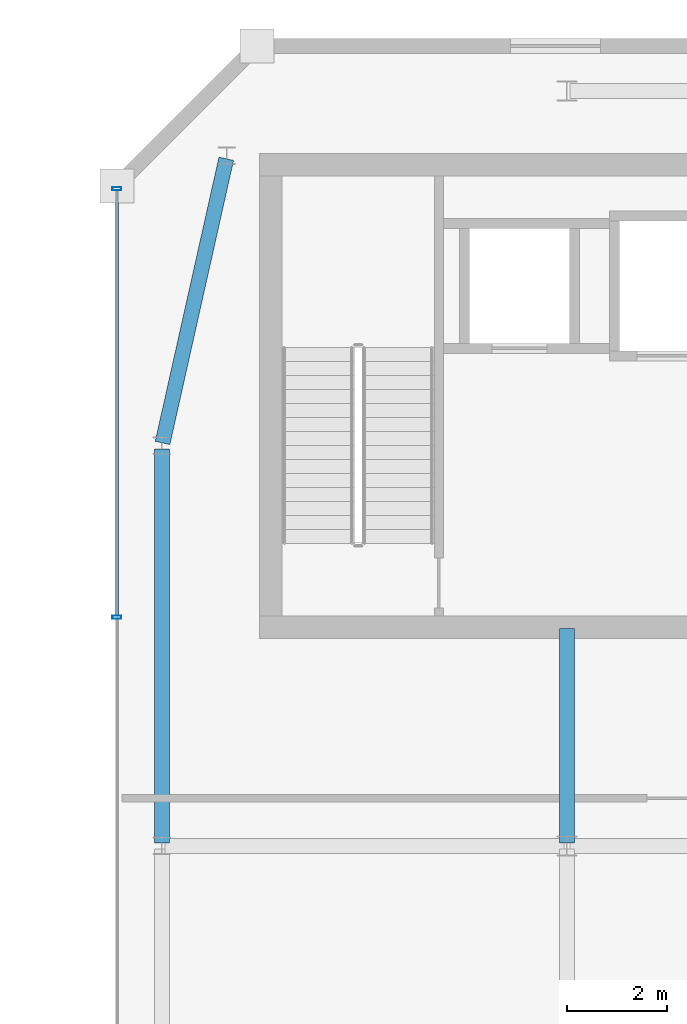
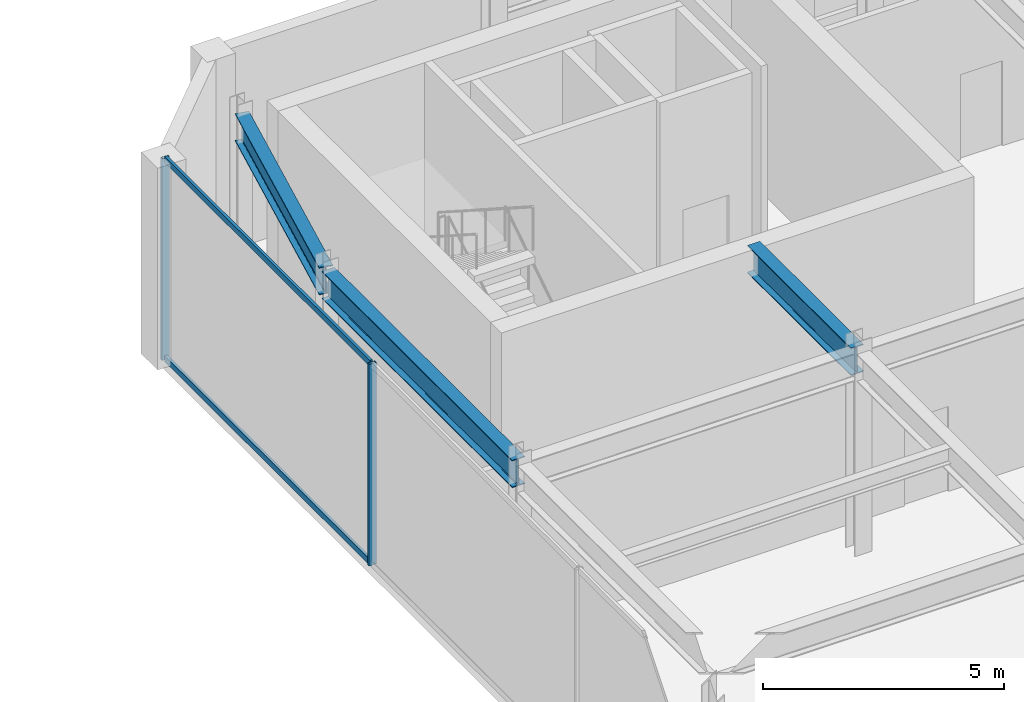
# One storey, part 36 of 52: 4 members, 3 beams, 1 element without a shape of its own.
"""IFC4 building model written with IfcOpenShell, lengths in metres."""

from ifc_helpers import new_model, si_unit, direction, frame, origin, origin_2d, place, context, subcontext, project, spatial, hollow_rectangle, i_section, extrude, material, material_profile, profile_set, type_object, element, aggregate, save


model = new_model("IFC4")

# Units and contexts
model_context = context("Model", 3, precision=1e-05, world=origin(), true_north=direction((0.0, 1.0)))
body_context = subcontext(model_context, "Body", "Model", "MODEL_VIEW")
ifc_project = project(units=[si_unit("LENGTHUNIT", "METRE"), si_unit("AREAUNIT", "SQUARE_METRE"), si_unit("VOLUMEUNIT", "CUBIC_METRE"), si_unit("PLANEANGLEUNIT", "RADIAN"), si_unit("MASSUNIT", "GRAM", prefix="KILO")], contexts=[model_context])

# Site, building, storey
site_placement = place(None, origin())
site = spatial("IfcSite", under=ifc_project, at=site_placement, CompositionType="ELEMENT")
building_placement = place(site_placement, origin())
building = spatial("IfcBuilding", under=site, at=building_placement, Name="Saevonmaru Cultural Tower", CompositionType="ELEMENT")
storey_placement = place(building_placement, frame((0.0, 0.0, 11.39990234375)))
storey = spatial("IfcBuildingStorey", under=building, at=storey_placement, Name="L02", CompositionType="ELEMENT", Elevation=11.39990234375)

# Beams
ifc_material_1 = material(Name="Steel SM355", Category="steel")
ifc_material_profile_1 = material_profile(ifc_material_1, i_section(OverallWidth=0.300048828125, OverallDepth=0.699951171875, WebThickness=0.012939453125, FlangeThickness=0.02392578125, FilletRadius=0.02587890625, at=origin_2d()), Name="H-700x300x13x24")
ifc_profile_set_1 = profile_set([ifc_material_profile_1], Name="Steel SM355")
beam_type = type_object("IfcBeamType", Name="BM-G-H700", PredefinedType="BEAM", material=ifc_profile_set_1)
beam_1_placement = place(storey_placement, frame((73.10009765625, 32.06005859375, 4.75), z_axis=(0.0, 1.0, 0.0), x_axis=(-1.0, 0.0, 0.0)))
element("IfcBeam", 1, at=beam_1_placement, inside=storey, type_object=beam_type, Name="L02 Library Girder NS-1-4", PredefinedType="BEAM", context=body_context, shape_type="SweptSolid", body=[
    extrude(i_section(OverallWidth=0.300048828125, OverallDepth=0.699951171875, WebThickness=0.012939453125, FlangeThickness=0.02392578125, FilletRadius=0.02587890625, at=origin_2d()), origin(), (0.0, 0.0, 1.0), 7.8798828125),
])
beam_2_placement = place(storey_placement, frame((73.113037109375, 40.05859375, 4.75), z_axis=(0.218741049138, 0.975782943806, 0.0), x_axis=(-0.975782943806, 0.218741049138, 0.0)))
element("IfcBeam", 2, at=beam_2_placement, inside=storey, type_object=beam_type, Name="L02 Library Girder NS-1-5", PredefinedType="BEAM", context=body_context, shape_type="SweptSolid", body=[
    extrude(i_section(OverallWidth=0.300048828125, OverallDepth=0.699951171875, WebThickness=0.012939453125, FlangeThickness=0.02392578125, FilletRadius=0.02587890625, at=origin_2d()), origin(), (0.0, 0.0, 1.0), 5.823974609375),
])
beam_3_placement = place(storey_placement, frame((81.199951171875, 32.06005859375, 4.75), z_axis=(0.0, 1.0, 0.0), x_axis=(-1.0, 0.0, 0.0)))
element("IfcBeam", 3, at=beam_3_placement, inside=storey, type_object=beam_type, Name="L02 Library Core-Bearing Girder NS-2-4", PredefinedType="BEAM", context=body_context, shape_type="SweptSolid", body=[
    extrude(i_section(OverallWidth=0.300048828125, OverallDepth=0.699951171875, WebThickness=0.012939453125, FlangeThickness=0.02392578125, FilletRadius=0.02587890625, at=origin_2d()), origin(), (0.0, 0.0, 1.0), 4.2900390625),
])

# Curtain wall, members
ifc_material_2 = material(Name="Satin Bronze Anodised Aluminium", Category="aluminium")
curtain_wall_type = type_object("IfcCurtainWallType", Name="CW-LIB-GLZ", PredefinedType="NOTDEFINED", material=ifc_material_2)
curtain_wall_placement = place(storey_placement, origin())
curtain_wall = element("IfcCurtainWall", 4, at=curtain_wall_placement, inside=storey, type_object=curtain_wall_type, Name="L02 Central Library Reading Hall Curtain Wall 8", PredefinedType="NOTDEFINED")
ifc_material_profile_2 = material_profile(ifc_material_2, hollow_rectangle(XDim=0.06494140625, YDim=0.179931640625, WallThickness=0.00390625, at=origin_2d()), Name="ALU-MULL-180x65x4")
ifc_profile_set_2 = profile_set([ifc_material_profile_2], Name="Satin Bronze Anodised Aluminium")
member_type_1 = type_object("IfcMemberType", Name="ML-CW-180x65", PredefinedType="MULLION", material=ifc_profile_set_2)
member_1_placement = place(storey_placement, frame((72.199951171875, 45.139892578125, 0.0), z_axis=(0.0, 0.0, 1.0), x_axis=(0.0, -1.0, 0.0)))
member_1 = element("IfcMember", 5, at=member_1_placement, type_object=member_type_1, Name="CW-LIB-8-L02 mullion 1", PredefinedType="MULLION", context=body_context, shape_type="SweptSolid", body=[
    extrude(hollow_rectangle(XDim=0.06494140625, YDim=0.179931640625, WallThickness=0.00390625, at=origin_2d()), origin(), (0.0, 0.0, 1.0), 5.10009765625),
])
member_2_placement = place(storey_placement, frame((72.199951171875, 36.570068359375, 0.0), z_axis=(0.0, 0.0, 1.0), x_axis=(0.0, -1.0, 0.0)))
member_2 = element("IfcMember", 6, at=member_2_placement, type_object=member_type_1, Name="CW-LIB-8-L02 mullion 2", PredefinedType="MULLION", context=body_context, shape_type="SweptSolid", body=[
    extrude(hollow_rectangle(XDim=0.06494140625, YDim=0.179931640625, WallThickness=0.00390625, at=origin_2d()), origin(), (0.0, 0.0, 1.0), 5.10009765625),
])
ifc_material_profile_3 = material_profile(ifc_material_2, hollow_rectangle(XDim=0.06494140625, YDim=0.14990234375, WallThickness=0.00390625, at=origin_2d()), Name="ALU-TRAN-150x65x4")
ifc_profile_set_3 = profile_set([ifc_material_profile_3], Name="Satin Bronze Anodised Aluminium")
member_type_2 = type_object("IfcMemberType", Name="TR-CW-150x65", PredefinedType="USERDEFINED", material=ifc_profile_set_3)
member_3_placement = place(storey_placement, frame((72.199951171875, 45.107421875, 0.03271484375), z_axis=(0.0, -1.0, 0.0), x_axis=(1.0, 0.0, 0.0)))
member_3 = element("IfcMember", 7, at=member_3_placement, type_object=member_type_2, Name="CW-LIB-8-L02 transom 1.1", ObjectType="TRANSOM", PredefinedType="USERDEFINED", context=body_context, shape_type="SweptSolid", body=[
    extrude(hollow_rectangle(XDim=0.06494140625, YDim=0.14990234375, WallThickness=0.00390625, at=origin_2d()), origin(), (0.0, 0.0, 1.0), 8.5048828125),
])
member_4_placement = place(storey_placement, frame((72.199951171875, 45.107421875, 5.067626953125), z_axis=(0.0, -1.0, 0.0), x_axis=(1.0, 0.0, 0.0)))
member_4 = element("IfcMember", 8, at=member_4_placement, type_object=member_type_2, Name="CW-LIB-8-L02 transom 1.2", ObjectType="TRANSOM", PredefinedType="USERDEFINED", context=body_context, shape_type="SweptSolid", body=[
    extrude(hollow_rectangle(XDim=0.06494140625, YDim=0.14990234375, WallThickness=0.00390625, at=origin_2d()), origin(), (0.0, 0.0, 1.0), 8.5048828125),
])
aggregate(curtain_wall, [member_1, member_2, member_3, member_4])

save(model, "model.ifc")
